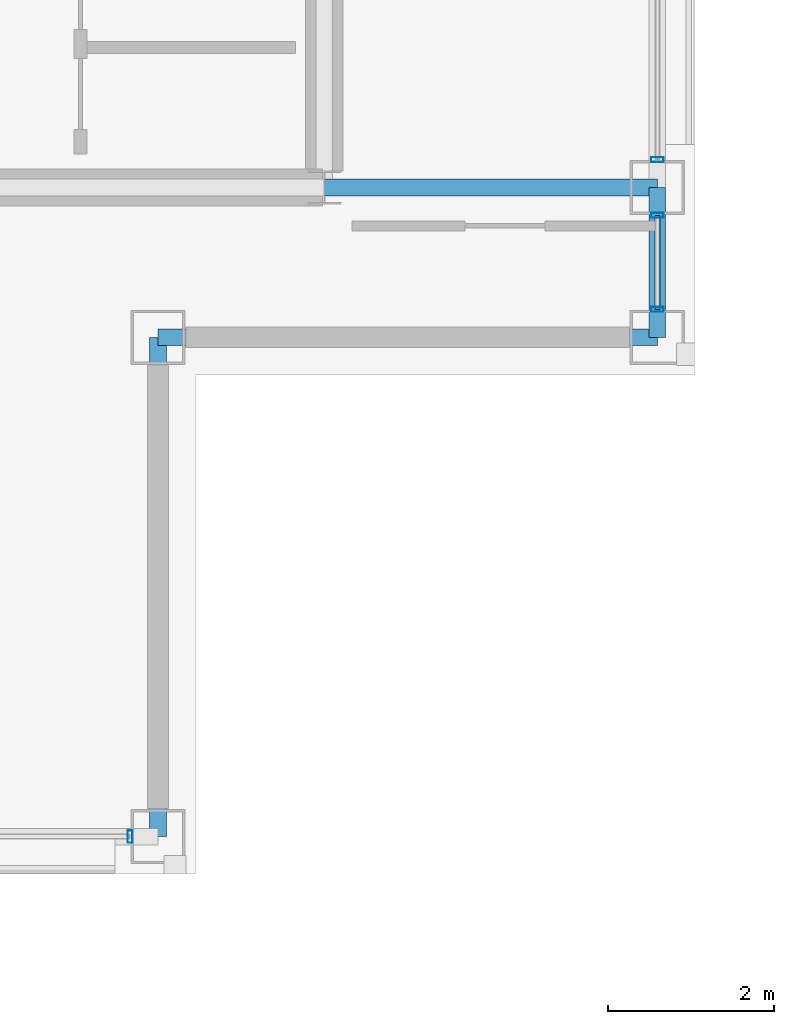
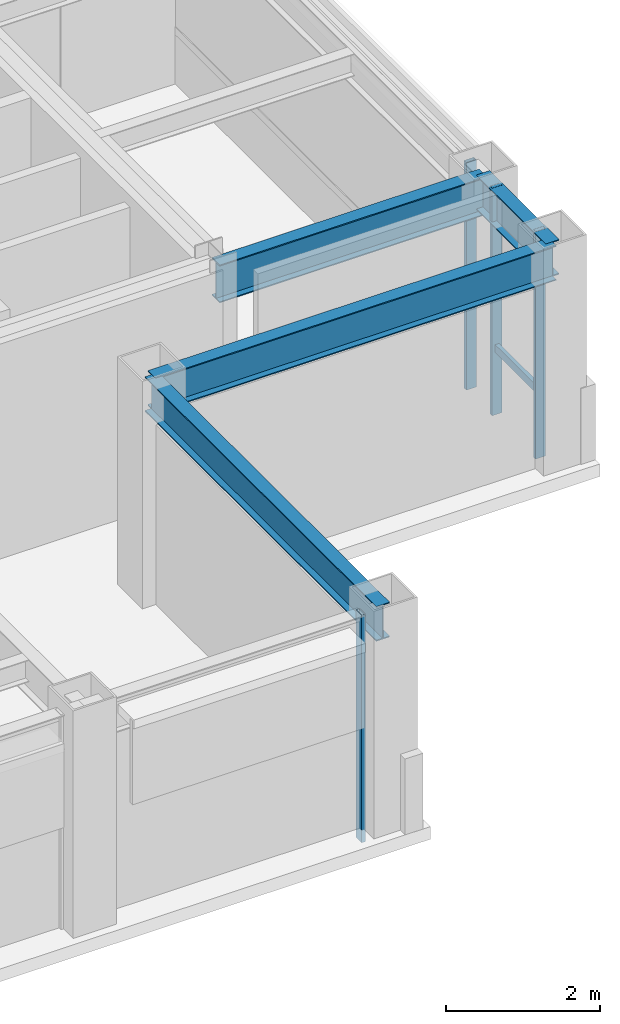
# One storey, part 10 of 20: 5 members, 4 beams, 3 elements without a shape of their own.
"""IFC4 building model written with IfcOpenShell, lengths in metres."""

from ifc_helpers import new_model, si_unit, direction, frame, origin, origin_2d, place, context, subcontext, project, spatial, hollow_rectangle, i_section, extrude, material, layer, layer_set, material_profile, profile_set, type_object, element, aggregate, save


model = new_model("IFC4")

# Units and contexts
model_context = context("Model", 3, precision=1e-05, world=origin(), true_north=direction((0.0, 1.0)))
body_context = subcontext(model_context, "Body", "Model", "MODEL_VIEW")
ifc_project = project(units=[si_unit("LENGTHUNIT", "METRE"), si_unit("AREAUNIT", "SQUARE_METRE"), si_unit("VOLUMEUNIT", "CUBIC_METRE"), si_unit("PLANEANGLEUNIT", "RADIAN"), si_unit("MASSUNIT", "GRAM", prefix="KILO")], contexts=[model_context])

# Site, building, storey
site_placement = place(None, origin())
site = spatial("IfcSite", under=ifc_project, at=site_placement, CompositionType="ELEMENT")
building_placement = place(site_placement, origin())
building = spatial("IfcBuilding", under=site, at=building_placement, Name="Brelmoor Portico Tower", CompositionType="ELEMENT")
storey_placement = place(building_placement, frame((0.0, 0.0, 243.60009765625)))
storey = spatial("IfcBuildingStorey", under=building, at=storey_placement, Name="L64", CompositionType="ELEMENT", Elevation=243.60009765625)

# Beams
ifc_material_1 = material(Name="Steel Q355B", Category="steel")
ifc_material_profile_1 = material_profile(ifc_material_1, i_section(OverallWidth=0.199951171875, OverallDepth=0.60009765625, WebThickness=0.010986328125, FlangeThickness=0.01708984375, at=origin_2d()), Name="HN 600x200x11x17")
ifc_profile_set_1 = profile_set([ifc_material_profile_1], Name="Steel Q355B")
beam_type_1 = type_object("IfcBeamType", Name="BM-PG-600", PredefinedType="BEAM", material=ifc_profile_set_1)
beam_1_placement = place(storey_placement, frame((14.550048828125, -9.75, 3.099853515625), z_axis=(1.0, 0.0, 0.0), x_axis=(0.0, 1.0, 0.0)))
element("IfcBeam", 1, at=beam_1_placement, inside=storey, type_object=beam_type_1, Name="L64 Primary Floor Girder PG-15", PredefinedType="BEAM", context=body_context, shape_type="SweptSolid", body=[
    extrude(i_section(OverallWidth=0.199951171875, OverallDepth=0.60009765625, WebThickness=0.010986328125, FlangeThickness=0.01708984375, at=origin_2d()), origin(), (0.0, 0.0, 1.0), 4.0),
])
ifc_material_profile_2 = material_profile(ifc_material_1, i_section(OverallWidth=0.199951171875, OverallDepth=0.550048828125, WebThickness=0.010009765625, FlangeThickness=0.01611328125, at=origin_2d()), Name="HN 550x200x10x16")
ifc_profile_set_2 = profile_set([ifc_material_profile_2], Name="Steel Q355B")
beam_type_2 = type_object("IfcBeamType", Name="BM-SP-550", PredefinedType="SPANDREL", material=ifc_profile_set_2)
for number, where, z_axis, x_axis, name in (
    (2, (12.550048828125, -11.550048828125, 3.125), (1.0, 0.0, 0.0), (0.0, 1.0, 0.0), "L64 Perimeter Spandrel Beam SP-05"),
    (3, (12.550048828125, -17.550048828125, 3.125), (0.0, 1.0, 0.0), (-1.0, 0.0, 0.0), "L64 Perimeter Spandrel Beam SP-16"),
):
    element("IfcBeam", number, at=place(storey_placement, frame(where, z_axis=z_axis, x_axis=x_axis)), inside=storey, type_object=beam_type_2, Name=name, PredefinedType="SPANDREL", context=body_context, shape_type="SweptSolid", body=[
        extrude(i_section(OverallWidth=0.199951171875, OverallDepth=0.550048828125, WebThickness=0.010009765625, FlangeThickness=0.01611328125, at=origin_2d()), origin(), (0.0, 0.0, 1.0), 6.0),
    ])
beam_2_placement = place(storey_placement, frame((18.550048828125, -11.550048828125, 3.125), z_axis=(0.0, 1.0, 0.0), x_axis=(-1.0, 0.0, 0.0)))
element("IfcBeam", 4, at=beam_2_placement, inside=storey, type_object=beam_type_2, Name="L64 Perimeter Spandrel Beam SP-18", PredefinedType="SPANDREL", context=body_context, shape_type="SweptSolid", body=[
    extrude(i_section(OverallWidth=0.199951171875, OverallDepth=0.550048828125, WebThickness=0.010009765625, FlangeThickness=0.01611328125, at=origin_2d()), origin(), (0.0, 0.0, 1.0), 1.800048828125),
])

# Curtain wall, member
ifc_material_2 = material(Name="Anodised Aluminium Alloy 6063-T6", Category="aluminium")
ifc_layer_1 = layer(ifc_material_2, 0.179931640625)
ifc_layer_set_1 = layer_set([ifc_layer_1], Name="Anodised Aluminium Alloy 6063-T6")
curtain_wall_type_1 = type_object("IfcCurtainWallType", Name="CW-TOWER-Z4-XB", PredefinedType="NOTDEFINED", material=ifc_layer_set_1)
curtain_wall_1_placement = place(storey_placement, origin())
curtain_wall_1 = element("IfcCurtainWall", 5, at=curtain_wall_1_placement, inside=storey, type_object=curtain_wall_type_1, Name="L64 Curtain Wall CW-L64-01-3", PredefinedType="NOTDEFINED")
ifc_material_profile_3 = material_profile(ifc_material_2, hollow_rectangle(XDim=0.06005859375, YDim=0.14990234375, WallThickness=0.00390625, at=origin_2d()), Name="ALU MULLION 60x150")
ifc_profile_set_3 = profile_set([ifc_material_profile_3], Name="Anodised Aluminium Alloy 6063-T6")
member_type_1 = type_object("IfcMemberType", Name="MB-CW-MULL-150", PredefinedType="MULLION", material=ifc_profile_set_3)
member_1_placement = place(storey_placement, frame((12.215087890625, -17.550048828125, -0.2001953125), z_axis=(0.0, 0.0, 1.0), x_axis=(1.0, 0.0, 0.0)))
member_1 = element("IfcMember", 6, at=member_1_placement, type_object=member_type_1, Name="CW-L64-01-3 Mullion 01", PredefinedType="MULLION", context=body_context, shape_type="SweptSolid", body=[
    extrude(hollow_rectangle(XDim=0.06005859375, YDim=0.14990234375, WallThickness=0.00390625, at=origin_2d()), origin(), (0.0, 0.0, 1.0), 3.60009765625),
])
aggregate(curtain_wall_1, [member_1])

# Curtain wall, members
ifc_layer_2 = layer(ifc_material_2, 0.179931640625)
ifc_layer_set_2 = layer_set([ifc_layer_2], Name="Anodised Aluminium Alloy 6063-T6")
curtain_wall_type_2 = type_object("IfcCurtainWallType", Name="CW-TOWER-Z4", PredefinedType="NOTDEFINED", material=ifc_layer_set_2)
curtain_wall_2_placement = place(storey_placement, origin())
curtain_wall_2 = element("IfcCurtainWall", 7, at=curtain_wall_2_placement, inside=storey, type_object=curtain_wall_type_2, Name="L64 Curtain Wall CW-L64-04-1", PredefinedType="NOTDEFINED")
member_2_placement = place(storey_placement, frame((18.550048828125, -11.215087890625, -0.2001953125), z_axis=(0.0, 0.0, 1.0), x_axis=(0.0, 1.0, 0.0)))
member_2 = element("IfcMember", 8, at=member_2_placement, type_object=member_type_1, Name="CW-L64-04-1 Mullion 00", PredefinedType="MULLION", context=body_context, shape_type="SweptSolid", body=[
    extrude(hollow_rectangle(XDim=0.06005859375, YDim=0.14990234375, WallThickness=0.00390625, at=origin_2d()), origin(), (0.0, 0.0, 1.0), 3.60009765625),
])
member_3_placement = place(storey_placement, frame((18.550048828125, -10.0849609375, -0.2001953125), z_axis=(0.0, 0.0, 1.0), x_axis=(0.0, 1.0, 0.0)))
member_3 = element("IfcMember", 9, at=member_3_placement, type_object=member_type_1, Name="CW-L64-04-1 Mullion 01", PredefinedType="MULLION", context=body_context, shape_type="SweptSolid", body=[
    extrude(hollow_rectangle(XDim=0.06005859375, YDim=0.14990234375, WallThickness=0.00390625, at=origin_2d()), origin(), (0.0, 0.0, 1.0), 3.60009765625),
])

# Curtain wall, member
curtain_wall_3_placement = place(storey_placement, origin())
curtain_wall_3 = element("IfcCurtainWall", 10, at=curtain_wall_3_placement, inside=storey, type_object=curtain_wall_type_2, Name="L64 Curtain Wall CW-L64-04-2", PredefinedType="NOTDEFINED")
member_4_placement = place(storey_placement, frame((18.550048828125, -9.4150390625, -0.2001953125), z_axis=(0.0, 0.0, 1.0), x_axis=(0.0, 1.0, 0.0)))
member_4 = element("IfcMember", 11, at=member_4_placement, type_object=member_type_1, Name="CW-L64-04-2 Mullion 00", PredefinedType="MULLION", context=body_context, shape_type="SweptSolid", body=[
    extrude(hollow_rectangle(XDim=0.06005859375, YDim=0.14990234375, WallThickness=0.00390625, at=origin_2d()), origin(), (0.0, 0.0, 1.0), 3.60009765625),
])
aggregate(curtain_wall_3, [member_4])

# Member
ifc_material_profile_4 = material_profile(ifc_material_2, hollow_rectangle(XDim=0.06005859375, YDim=0.125, WallThickness=0.00341796875, at=origin_2d()), Name="ALU TRANSOM 60x125")
ifc_profile_set_4 = profile_set([ifc_material_profile_4], Name="Anodised Aluminium Alloy 6063-T6")
member_type_2 = type_object("IfcMemberType", Name="MB-CW-TRAN-125", PredefinedType="USERDEFINED", material=ifc_profile_set_4)
member_5_placement = place(storey_placement, frame((18.550048828125, -11.215087890625, 0.849853515625), z_axis=(0.0, 1.0, 0.0), x_axis=(-1.0, 0.0, 0.0)))
member_5 = element("IfcMember", 12, at=member_5_placement, type_object=member_type_2, Name="CW-L64-04-1 Transom 1-00", ObjectType="TRANSOM", PredefinedType="USERDEFINED", context=body_context, shape_type="SweptSolid", body=[
    extrude(hollow_rectangle(XDim=0.06005859375, YDim=0.125, WallThickness=0.00341796875, at=origin_2d()), origin(), (0.0, 0.0, 1.0), 1.130126953125),
])

aggregate(curtain_wall_2, [member_2, member_3, member_5])

save(model, "model.ifc")
